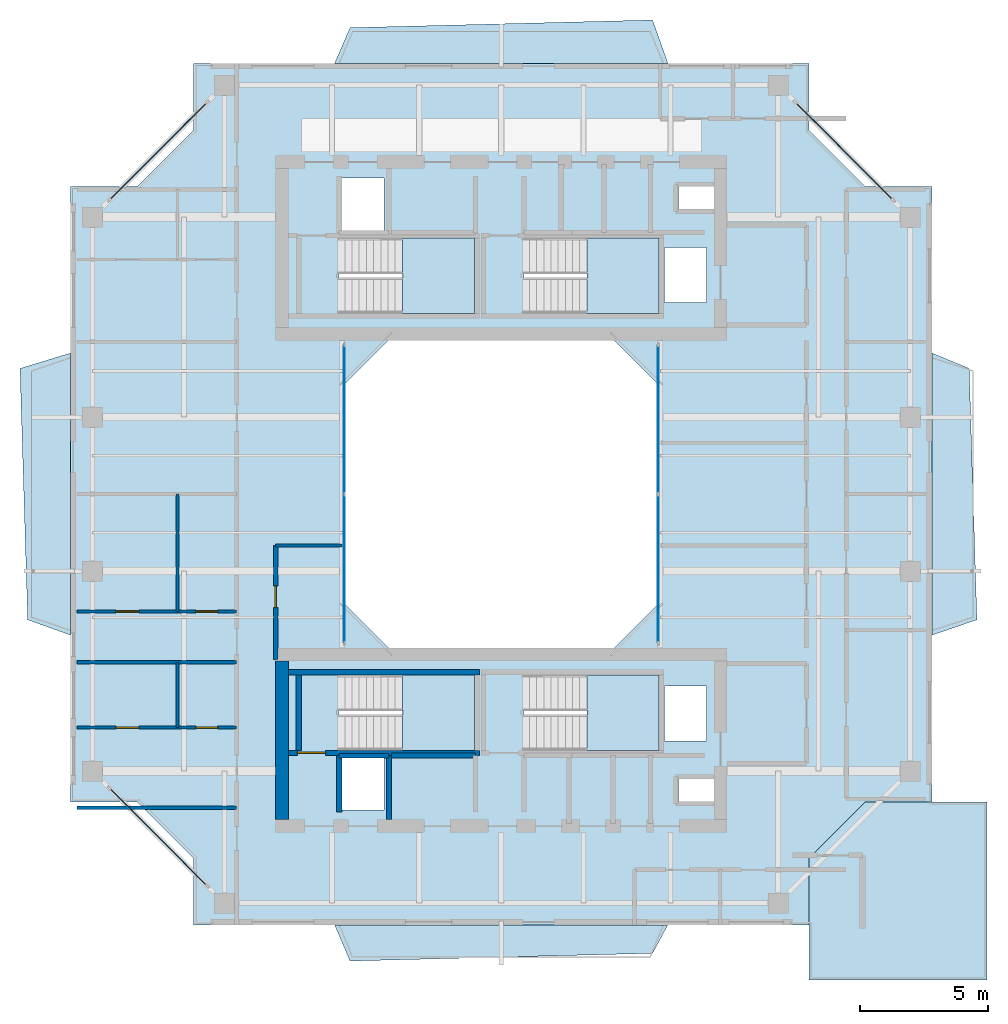
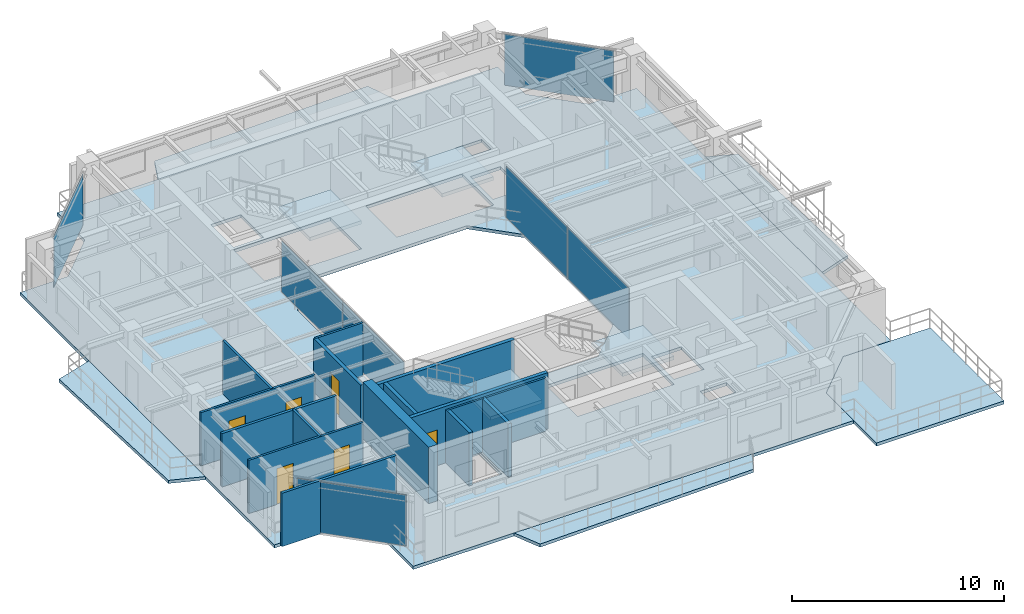
# One storey, part 9 of 15: 16 walls, 10 slabs, 7 plates, 6 doors, 6 openings, 9 elements without a shape of their own.
"""IFC4 building model written with IfcOpenShell, lengths in metres."""

from ifc_helpers import new_model, si_unit, direction, frame, frame_2d, origin, origin_2d, place, context, subcontext, project, spatial, polyline, rectangle, outline, extrude, source, transform, mapped, material, layer, layer_set, type_object, element, fill, aggregate, save


model = new_model("IFC4")

# Units and contexts
model_context = context("Model", 3, precision=1e-05, world=origin(), true_north=direction((0.0, 1.0)))
body_context = subcontext(model_context, "Body", "Model", "MODEL_VIEW")
ifc_project = project(units=[si_unit("LENGTHUNIT", "METRE"), si_unit("AREAUNIT", "SQUARE_METRE"), si_unit("VOLUMEUNIT", "CUBIC_METRE"), si_unit("PLANEANGLEUNIT", "RADIAN"), si_unit("MASSUNIT", "GRAM", prefix="KILO"), si_unit("THERMODYNAMICTEMPERATUREUNIT", "KELVIN"), si_unit("POWERUNIT", "WATT")], contexts=[model_context])

# Site, building, storey
site_placement = place(None, origin())
site = spatial("IfcSite", under=ifc_project, at=site_placement, CompositionType="ELEMENT")
building_placement = place(site_placement, origin())
building = spatial("IfcBuilding", under=site, at=building_placement, Name="Qiaomeng Ring Towers", CompositionType="ELEMENT")
storey_placement = place(building_placement, frame((0.0, 0.0, 213.25)))
storey = spatial("IfcBuildingStorey", under=building, at=storey_placement, Name="L62", CompositionType="ELEMENT", Elevation=213.25)

# Slabs
ifc_material_1 = material(Name="Concrete C40", Category="concrete")
ifc_layer_1 = layer(ifc_material_1, 0.179931640625, Name="Concrete C40")
ifc_layer_set_1 = layer_set([ifc_layer_1], Name="Concrete C40")
slab_type_1 = type_object("IfcSlabType", Name="STR-SL-180", PredefinedType="FLOOR", material=ifc_layer_set_1)
slab_1_placement = place(storey_placement, frame((0.0, 0.0, -0.179931640625)))
element("IfcSlab", 1, at=slab_1_placement, inside=storey, type_object=slab_type_1, Name="L62 Tower 1 Annular Floor Slab", PredefinedType="FLOOR", context=body_context, shape_type="SweptSolid", body=[
    extrude(outline(polyline([(7.0, 6.199951171875), (31.0, 6.199951171875), (31.0, 8.800048828125), (33.199951171875, 11.0), (35.800048828125, 11.0), (35.800048828125, 35.0), (33.199951171875, 35.0), (31.0, 37.199951171875), (31.0, 39.800048828125), (7.0, 39.800048828125), (7.0, 37.199951171875), (4.800048828125, 35.0), (2.199951171875, 35.0), (2.199951171875, 11.0), (4.800048828125, 11.0), (7.0, 8.800048828125), (7.0, 6.199951171875)]), holes=[polyline([(12.780029296875, 10.679931640625), (12.780029296875, 12.820068359375), (14.419921875, 12.820068359375), (14.419921875, 10.679931640625), (12.780029296875, 10.679931640625)]), polyline([(12.679931640625, 13.010009765625), (12.679931640625, 15.949951171875), (17.949951171875, 15.949951171875), (17.949951171875, 13.010009765625), (12.679931640625, 13.010009765625)]), polyline([(23.199951171875, 29.199951171875), (25.199951171875, 27.199951171875), (25.199951171875, 18.800048828125), (23.199951171875, 16.800048828125), (14.800048828125, 16.800048828125), (12.800048828125, 18.800048828125), (12.800048828125, 27.199951171875), (14.800048828125, 29.199951171875), (23.199951171875, 29.199951171875)]), polyline([(12.679931640625, 32.989990234375), (17.949951171875, 32.989990234375), (17.949951171875, 30.050048828125), (12.679931640625, 30.050048828125), (12.679931640625, 32.989990234375)]), polyline([(19.8798828125, 32.989990234375), (25.14990234375, 32.989990234375), (25.14990234375, 30.050048828125), (19.8798828125, 30.050048828125), (19.8798828125, 32.989990234375)]), polyline([(12.780029296875, 33.179931640625), (12.780029296875, 35.320068359375), (14.419921875, 35.320068359375), (14.419921875, 33.179931640625), (12.780029296875, 33.179931640625)]), polyline([(25.919921875, 11.89990234375), (27.360107421875, 11.89990234375), (27.360107421875, 11.0), (25.919921875, 11.0), (25.919921875, 11.89990234375)]), polyline([(25.360107421875, 15.52001953125), (27.0, 15.52001953125), (27.0, 13.3798828125), (25.360107421875, 13.3798828125), (25.360107421875, 15.52001953125)]), polyline([(19.8798828125, 13.010009765625), (19.8798828125, 15.949951171875), (25.14990234375, 15.949951171875), (25.14990234375, 13.010009765625), (19.8798828125, 13.010009765625)]), polyline([(25.360107421875, 32.6201171875), (27.0, 32.6201171875), (27.0, 30.47998046875), (25.360107421875, 30.47998046875), (25.360107421875, 32.6201171875)]), polyline([(25.919921875, 35.0), (27.360107421875, 35.0), (27.360107421875, 34.10009765625), (25.919921875, 34.10009765625), (25.919921875, 35.0)])]), origin(), (0.0, 0.0, 1.0), 0.179931640625),
])
ifc_layer_2 = layer(ifc_material_1, 0.179931640625, Name="Concrete C40")
ifc_layer_set_2 = layer_set([ifc_layer_2], Name="Concrete C40")
slab_type_2 = type_object("IfcSlabType", Name="STR-SL-BAL", PredefinedType="FLOOR", material=ifc_layer_set_2)
slab_2_placement = place(storey_placement, frame((0.0, 0.0, -0.179931640625)))
element("IfcSlab", 2, at=slab_2_placement, inside=storey, type_object=slab_type_2, Name="L62 Tower 1 S Faceted Balcony Slab", PredefinedType="FLOOR", context=body_context, shape_type="SweptSolid", body=[
    extrude(outline(polyline([(25.5, 6.199951171875), (24.89990234375, 5.090087890625), (13.10009765625, 4.7900390625), (12.5, 6.199951171875), (25.5, 6.199951171875)])), origin(), (0.0, 0.0, 1.0), 0.179931640625),
])
slab_3_placement = place(storey_placement, frame((0.0, 0.0, -0.179931640625)))
element("IfcSlab", 3, at=slab_3_placement, inside=storey, type_object=slab_type_2, Name="L62 Tower 1 E Faceted Balcony Slab", PredefinedType="FLOOR", context=body_context, shape_type="SweptSolid", body=[
    extrude(outline(polyline([(37.25, 27.89990234375), (37.550048828125, 18.10009765625), (35.800048828125, 17.5), (35.800048828125, 28.5), (37.25, 27.89990234375)])), origin(), (0.0, 0.0, 1.0), 0.179931640625),
])
slab_4_placement = place(storey_placement, frame((0.0, 0.0, -0.179931640625)))
element("IfcSlab", 4, at=slab_4_placement, inside=storey, type_object=slab_type_2, Name="L62 Tower 1 N Faceted Balcony Slab", PredefinedType="FLOOR", context=body_context, shape_type="SweptSolid", body=[
    extrude(outline(polyline([(12.5, 39.800048828125), (13.10009765625, 41.18994140625), (24.89990234375, 41.489990234375), (25.5, 39.800048828125), (12.5, 39.800048828125)])), origin(), (0.0, 0.0, 1.0), 0.179931640625),
])
slab_5_placement = place(storey_placement, frame((0.0, 0.0, -0.179931640625)))
element("IfcSlab", 5, at=slab_5_placement, inside=storey, type_object=slab_type_2, Name="L62 Tower 1 W Faceted Balcony Slab", PredefinedType="FLOOR", context=body_context, shape_type="SweptSolid", body=[
    extrude(outline(polyline([(0.530029296875, 18.10009765625), (0.22998046875, 27.89990234375), (2.199951171875, 28.5), (2.199951171875, 17.5), (0.530029296875, 18.10009765625)])), origin(), (0.0, 0.0, 1.0), 0.179931640625),
])

# Stair, slab
ifc_material_2 = material(Name="Precast concrete C40", Category="concrete")
stair_type = type_object("IfcStairType", Name="ARC-ST-325", PredefinedType="HALF_TURN_STAIR", material=ifc_material_2)
stair_1_placement = place(storey_placement, origin())
stair_1 = element("IfcStair", 6, at=stair_1_placement, inside=storey, type_object=stair_type, Name="L62 Tower 1 North Stair 1", PredefinedType="HALF_TURN_STAIR")
ifc_layer_3 = layer(ifc_material_1, 0.199951171875, Name="Concrete C40")
ifc_layer_set_3 = layer_set([ifc_layer_3], Name="Concrete C40")
slab_type_3 = type_object("IfcSlabType", Name="STR-SL-LANDING", PredefinedType="LANDING", material=ifc_layer_set_3)
slab_6_placement = place(storey_placement, frame((0.0, 0.0, 1.425048828125)))
slab_6 = element("IfcSlab", 7, at=slab_6_placement, type_object=slab_type_3, Name="ST1 landing 1", PredefinedType="LANDING", context=body_context, shape_type="SweptSolid", body=[
    extrude(outline(polyline([(15.139892578125, 30.050048828125), (17.949951171875, 30.050048828125), (17.949951171875, 32.989990234375), (15.139892578125, 32.989990234375), (15.139892578125, 30.050048828125)])), origin(), (0.0, 0.0, 1.0), 0.199951171875),
])
aggregate(stair_1, [slab_6])

stair_2_placement = place(storey_placement, origin())
stair_2 = element("IfcStair", 8, at=stair_2_placement, inside=storey, type_object=stair_type, Name="L62 Tower 1 North Stair 2", PredefinedType="HALF_TURN_STAIR")
slab_7_placement = place(storey_placement, frame((0.0, 0.0, 1.425048828125)))
slab_7 = element("IfcSlab", 9, at=slab_7_placement, type_object=slab_type_3, Name="ST2 landing 1", PredefinedType="LANDING", context=body_context, shape_type="SweptSolid", body=[
    extrude(outline(polyline([(22.340087890625, 30.050048828125), (25.14990234375, 30.050048828125), (25.14990234375, 32.989990234375), (22.340087890625, 32.989990234375), (22.340087890625, 30.050048828125)])), origin(), (0.0, 0.0, 1.0), 0.199951171875),
])
aggregate(stair_2, [slab_7])

stair_3_placement = place(storey_placement, origin())
stair_3 = element("IfcStair", 10, at=stair_3_placement, inside=storey, type_object=stair_type, Name="L62 Tower 1 South Stair 3", PredefinedType="HALF_TURN_STAIR")
slab_8_placement = place(storey_placement, frame((0.0, 0.0, 1.425048828125)))
slab_8 = element("IfcSlab", 11, at=slab_8_placement, type_object=slab_type_3, Name="ST3 landing 1", PredefinedType="LANDING", context=body_context, shape_type="SweptSolid", body=[
    extrude(outline(polyline([(15.139892578125, 13.010009765625), (17.949951171875, 13.010009765625), (17.949951171875, 15.949951171875), (15.139892578125, 15.949951171875), (15.139892578125, 13.010009765625)])), origin(), (0.0, 0.0, 1.0), 0.199951171875),
])
aggregate(stair_3, [slab_8])

stair_4_placement = place(storey_placement, origin())
stair_4 = element("IfcStair", 12, at=stair_4_placement, inside=storey, type_object=stair_type, Name="L62 Tower 1 South Stair 4", PredefinedType="HALF_TURN_STAIR")
slab_9_placement = place(storey_placement, frame((0.0, 0.0, 1.425048828125)))
slab_9 = element("IfcSlab", 13, at=slab_9_placement, type_object=slab_type_3, Name="ST4 landing 1", PredefinedType="LANDING", context=body_context, shape_type="SweptSolid", body=[
    extrude(outline(polyline([(22.340087890625, 13.010009765625), (25.14990234375, 13.010009765625), (25.14990234375, 15.949951171875), (22.340087890625, 15.949951171875), (22.340087890625, 13.010009765625)])), origin(), (0.0, 0.0, 1.0), 0.199951171875),
])
aggregate(stair_4, [slab_9])

# Slab
ifc_layer_4 = layer(ifc_material_1, 0.179931640625, Name="Concrete C40")
ifc_layer_set_4 = layer_set([ifc_layer_4], Name="Concrete C40")
slab_type_4 = type_object("IfcSlabType", Name="STR-SL-TERR180", PredefinedType="FLOOR", material=ifc_layer_set_4)
slab_10_placement = place(storey_placement, frame((0.0, 0.0, -0.179931640625)))
element("IfcSlab", 14, at=slab_10_placement, inside=storey, type_object=slab_type_4, Name="L62 Spiralling Corner Sky Terrace SE", PredefinedType="FLOOR", context=body_context, shape_type="SweptSolid", body=[
    extrude(outline(polyline([(37.949951171875, 11.0), (37.949951171875, 4.050048828125), (31.0, 4.050048828125), (31.0, 6.199951171875), (31.0, 6.199951171875), (31.0, 8.800048828125), (33.199951171875, 11.0), (35.800048828125, 11.0), (37.949951171875, 11.0)])), origin(), (0.0, 0.0, 1.0), 0.179931640625),
])

# Curtain wall, plates
ifc_material_3 = material(Name="Fluorocarbon dark-grey aluminium", Category="aluminium")
ifc_layer_5 = layer(ifc_material_3, 0.139892578125, Name="Fluorocarbon dark-grey aluminium")
ifc_layer_set_5 = layer_set([ifc_layer_5], Name="Fluorocarbon dark-grey aluminium")
curtain_wall_type_1 = type_object("IfcCurtainWallType", Name="ARC-CW-4", PredefinedType="NOTDEFINED", material=ifc_layer_set_5)
curtain_wall_1_placement = place(storey_placement, origin())
curtain_wall_1 = element("IfcCurtainWall", 15, at=curtain_wall_1_placement, inside=storey, type_object=curtain_wall_type_1, Name="L62 Curtain Wall CW4", PredefinedType="NOTDEFINED")
ifc_material_4 = material(Name="Low-E dark-grey laminated double glazing", Category="glass")
ifc_layer_6 = layer(ifc_material_4, 0.028076171875, Name="Low-E dark-grey laminated double glazing")
ifc_layer_set_6 = layer_set([ifc_layer_6], Name="Low-E dark-grey laminated double glazing")
plate_type = type_object("IfcPlateType", Name="ARC-CWP-DARK", PredefinedType="CURTAIN_PANEL", material=ifc_layer_set_6)
shared_shape_1 = source(origin(), body_context, "Body", "SweptSolid", [
    extrude(rectangle(XDim=5.75244140625, YDim=0.028076171875, at=origin_2d()), origin(), (0.0, 0.0, 1.0), 2.93994140625),
])
plate_1_placement = place(storey_placement, frame((12.8798828125, 20.09130859375, 0.06494140625), z_axis=(0.0, 0.0, 1.0), x_axis=(0.0, 1.0, 0.0)))
plate_1 = element("IfcPlate", 16, at=plate_1_placement, type_object=plate_type, Name="CW4 panel 1.1", PredefinedType="CURTAIN_PANEL", context=body_context, shape_type="MappedRepresentation", body=[
    mapped(shared_shape_1, transform((0.0, 0.0, 0.0), x_axis=(1.0, 0.0, 0.0), y_axis=(0.0, 1.0, 0.0), z_axis=(0.0, 0.0, 1.0), scale=1.0)),
])
plate_2_placement = place(storey_placement, frame((12.8798828125, 25.90869140625, 0.06494140625), z_axis=(0.0, 0.0, 1.0), x_axis=(0.0, 1.0, 0.0)))
plate_2 = element("IfcPlate", 17, at=plate_2_placement, type_object=plate_type, Name="CW4 panel 2.1", PredefinedType="CURTAIN_PANEL", context=body_context, shape_type="MappedRepresentation", body=[
    mapped(shared_shape_1, transform((0.0, 0.0, 0.0), x_axis=(1.0, 0.0, 0.0), y_axis=(0.0, 1.0, 0.0), z_axis=(0.0, 0.0, 1.0), scale=1.0)),
])
aggregate(curtain_wall_1, [plate_1, plate_2])

curtain_wall_2_placement = place(storey_placement, origin())
curtain_wall_2 = element("IfcCurtainWall", 18, at=curtain_wall_2_placement, inside=storey, type_object=curtain_wall_type_1, Name="L62 Curtain Wall CW4", PredefinedType="NOTDEFINED")
plate_3_placement = place(storey_placement, frame((25.1201171875, 20.09130859375, 0.06494140625), z_axis=(0.0, 0.0, 1.0), x_axis=(0.0, 1.0, 0.0)))
plate_3 = element("IfcPlate", 19, at=plate_3_placement, type_object=plate_type, Name="CW4 panel 1.1", PredefinedType="CURTAIN_PANEL", context=body_context, shape_type="MappedRepresentation", body=[
    mapped(shared_shape_1, transform((0.0, 0.0, 0.0), x_axis=(1.0, 0.0, 0.0), y_axis=(0.0, 1.0, 0.0), z_axis=(0.0, 0.0, 1.0), scale=1.0)),
])
plate_4_placement = place(storey_placement, frame((25.1201171875, 25.90869140625, 0.06494140625), z_axis=(0.0, 0.0, 1.0), x_axis=(0.0, 1.0, 0.0)))
plate_4 = element("IfcPlate", 20, at=plate_4_placement, type_object=plate_type, Name="CW4 panel 2.1", PredefinedType="CURTAIN_PANEL", context=body_context, shape_type="MappedRepresentation", body=[
    mapped(shared_shape_1, transform((0.0, 0.0, 0.0), x_axis=(1.0, 0.0, 0.0), y_axis=(0.0, 1.0, 0.0), z_axis=(0.0, 0.0, 1.0), scale=1.0)),
])
aggregate(curtain_wall_2, [plate_3, plate_4])

# Curtain wall, plate
ifc_layer_7 = layer(ifc_material_3, 0.14990234375, Name="Fluorocarbon dark-grey aluminium")
ifc_layer_set_7 = layer_set([ifc_layer_7], Name="Fluorocarbon dark-grey aluminium")
curtain_wall_type_2 = type_object("IfcCurtainWallType", Name="ARC-CW-3", PredefinedType="NOTDEFINED", material=ifc_layer_set_7)
curtain_wall_3_placement = place(storey_placement, origin())
curtain_wall_3 = element("IfcCurtainWall", 21, at=curtain_wall_3_placement, inside=storey, type_object=curtain_wall_type_2, Name="L62 Curtain Wall CW3", PredefinedType="NOTDEFINED")
shared_shape_2 = source(origin(), body_context, "Body", "SweptSolid", [
    extrude(rectangle(XDim=5.3330078125, YDim=0.028076171875, at=origin_2d()), origin(), (0.0, 0.0, 1.0), 2.93994140625),
])
plate_5_placement = place(storey_placement, frame((32.375, 36.375, 0.06494140625), z_axis=(0.0, 0.0, 1.0), x_axis=(-0.707106781187, 0.707106781187, 0.0)))
plate_5 = element("IfcPlate", 22, at=plate_5_placement, type_object=plate_type, Name="CW3 panel 1.1", PredefinedType="CURTAIN_PANEL", context=body_context, shape_type="MappedRepresentation", body=[
    mapped(shared_shape_2, transform((0.0, 0.0, 0.0), x_axis=(1.0, 0.0, 0.0), y_axis=(0.0, 1.0, 0.0), z_axis=(0.0, 0.0, 1.0), scale=1.0)),
])
aggregate(curtain_wall_3, [plate_5])

curtain_wall_4_placement = place(storey_placement, origin())
curtain_wall_4 = element("IfcCurtainWall", 23, at=curtain_wall_4_placement, inside=storey, type_object=curtain_wall_type_2, Name="L62 Curtain Wall CW3", PredefinedType="NOTDEFINED")
plate_6_placement = place(storey_placement, frame((5.625, 36.375, 0.06494140625), z_axis=(0.0, 0.0, 1.0), x_axis=(-0.707106781187, -0.707106781187, 0.0)))
plate_6 = element("IfcPlate", 24, at=plate_6_placement, type_object=plate_type, Name="CW3 panel 1.1", PredefinedType="CURTAIN_PANEL", context=body_context, shape_type="MappedRepresentation", body=[
    mapped(shared_shape_2, transform((0.0, 0.0, 0.0), x_axis=(1.0, 0.0, 0.0), y_axis=(0.0, 1.0, 0.0), z_axis=(0.0, 0.0, 1.0), scale=1.0)),
])
aggregate(curtain_wall_4, [plate_6])

curtain_wall_5_placement = place(storey_placement, origin())
curtain_wall_5 = element("IfcCurtainWall", 25, at=curtain_wall_5_placement, inside=storey, type_object=curtain_wall_type_2, Name="L62 Curtain Wall CW3", PredefinedType="NOTDEFINED")
plate_7_placement = place(storey_placement, frame((5.625, 9.625, 0.06494140625), z_axis=(0.0, 0.0, 1.0), x_axis=(0.707106781187, -0.707106781187, 0.0)))
plate_7 = element("IfcPlate", 26, at=plate_7_placement, type_object=plate_type, Name="CW3 panel 1.1", PredefinedType="CURTAIN_PANEL", context=body_context, shape_type="MappedRepresentation", body=[
    mapped(shared_shape_2, transform((0.0, 0.0, 0.0), x_axis=(1.0, 0.0, 0.0), y_axis=(0.0, 1.0, 0.0), z_axis=(0.0, 0.0, 1.0), scale=1.0)),
])
aggregate(curtain_wall_5, [plate_7])

# Walls
ifc_material_5 = material(Name="Autoclaved aerated concrete block", Category="concrete")
ifc_layer_8 = layer(ifc_material_5, 0.199951171875, Name="Autoclaved aerated concrete block")
ifc_layer_set_8 = layer_set([ifc_layer_8], Name="Autoclaved aerated concrete block")
wall_type_1 = type_object("IfcWallType", Name="ARC-WL-PW1", PredefinedType="PARTITIONING", material=ifc_layer_set_8)
wall_1_placement = place(storey_placement, frame((12.679931640625, 10.60009765625, 0.0), z_axis=(0.0, 0.0, 1.0), x_axis=(0.0, 1.0, 0.0)))
element("IfcWall", 27, at=wall_1_placement, inside=storey, type_object=wall_type_1, Name="L62 Interior Wall PW1", PredefinedType="PARTITIONING", context=body_context, shape_type="SweptSolid", body=[
    extrude(rectangle(XDim=2.2099609375, YDim=0.199951171875, at=frame_2d((1.10498046875, 0.0))), origin(), (0.0, 0.0, 1.0), 3.070068359375),
])
wall_2_placement = place(storey_placement, frame((14.719970703125, 12.800048828125, 0.0), z_axis=(0.0, 0.0, 1.0), x_axis=(1.0, 0.0, 0.0)))
element("IfcWall", 28, at=wall_2_placement, inside=storey, type_object=wall_type_1, Name="L62 Interior Wall PW1", PredefinedType="PARTITIONING", context=body_context, shape_type="SweptSolid", body=[
    extrude(rectangle(XDim=3.280029296875, YDim=0.199951171875, at=frame_2d((1.64013671875, 0.0))), origin(), (0.0, 0.0, 1.0), 3.070068359375),
])

# Wall, opening, door
ifc_layer_9 = layer(ifc_material_5, 0.179931640625, Name="Autoclaved aerated concrete block")
ifc_layer_set_9 = layer_set([ifc_layer_9], Name="Autoclaved aerated concrete block")
wall_type_2 = type_object("IfcWallType", Name="ARC-WL-PW2", PredefinedType="PARTITIONING", material=ifc_layer_set_9)
wall_3_placement = place(storey_placement, frame((10.199951171875, 16.550048828125, 0.0), z_axis=(0.0, 0.0, 1.0), x_axis=(0.0, 1.0, 0.0)))
wall_3 = element("IfcWall", 29, at=wall_3_placement, inside=storey, type_object=wall_type_2, Name="L62 Interior Wall PW2", PredefinedType="PARTITIONING", context=body_context, shape_type="SweptSolid", body=[
    extrude(rectangle(XDim=4.449951171875, YDim=0.179931640625, at=frame_2d((2.22509765625, 0.0))), origin(), (0.0, 0.0, 1.0), 3.070068359375),
])
opening_1_placement = place(wall_3_placement, frame((2.02490234375, 0.0, 0.0)))
opening_1 = element("IfcOpeningElement", 30, at=opening_1_placement, cuts=wall_3, Name="Opening ID2", PredefinedType="OPENING", context=body_context, shape_type="SweptSolid", body=[
    extrude(rectangle(XDim=0.85009765625, YDim=2.050048828125, at=frame_2d((0.425048828125, 1.02490234375))), frame((0.0, 0.099853515625, 0.0), z_axis=(0.0, -1.0, 0.0), x_axis=(1.0, 0.0, 0.0)), (0.0, 0.0, 1.0), 0.199951171875),
])
ifc_material_6 = material(Name="Moisture-resistant engineered timber", Category="wood")
door_type_1 = type_object("IfcDoorType", Name="ARC-DR-ID2", OperationType="NOTDEFINED", PredefinedType="DOOR", material=ifc_material_6)
shared_shape_3 = source(origin(), body_context, "Body", "SweptSolid", [
    extrude(rectangle(XDim=0.85009765625, YDim=2.050048828125, at=frame_2d((0.425048828125, 1.02490234375))), frame((0.0, 0.02490234375, 0.0), z_axis=(0.0, -1.0, 0.0), x_axis=(1.0, 0.0, 0.0)), (0.0, 0.0, 1.0), 0.050048828125),
])
door_1_placement = place(opening_1_placement, origin())
door_1 = element("IfcDoor", 31, at=door_1_placement, inside=storey, type_object=door_type_1, Name="L62 Door ID2", OperationType="SINGLE_SWING_LEFT", OverallHeight=2.050048828125, OverallWidth=0.85009765625, PredefinedType="DOOR", context=body_context, shape_type="MappedRepresentation", body=[
    mapped(shared_shape_3, transform((0.0, 0.0, 0.0), x_axis=(1.0, 0.0, 0.0), y_axis=(0.0, 1.0, 0.0), z_axis=(0.0, 0.0, 1.0), scale=1.0)),
])
fill(opening_1, door_1)

# Walls
ifc_material_7 = material(Name="Gypsum fireboard steel-stud partition", Category="steel")
ifc_layer_10 = layer(ifc_material_7, 0.14990234375, Name="Gypsum fireboard steel-stud partition")
ifc_layer_set_10 = layer_set([ifc_layer_10], Name="Gypsum fireboard steel-stud partition")
wall_type_3 = type_object("IfcWallType", Name="ARC-WL-PW3", PredefinedType="PARTITIONING", material=ifc_layer_set_10)
for number, where, z_axis, x_axis, name in (
    (32, (2.449951171875, 10.77001953125, 0.0), (0.0, 0.0, 1.0), (1.0, 0.0, 0.0), "L62 Interior Wall PW3"),
    (33, (2.449951171875, 16.43994140625, 0.0), (0.0, 0.0, 1.0), (1.0, 0.0, 0.0), "L62 Interior Wall PW3"),
):
    element("IfcWall", number, at=place(storey_placement, frame(where, z_axis=z_axis, x_axis=x_axis)), inside=storey, type_object=wall_type_3, Name=name, PredefinedType="PARTITIONING", context=body_context, shape_type="SweptSolid", body=[
        extrude(rectangle(XDim=6.22998046875, YDim=0.14990234375, at=frame_2d((3.114990234375, 0.0))), origin(), (0.0, 0.0, 1.0), 3.070068359375),
    ])

# Wall, openings, doors
ifc_material_8 = material(Name="Moisture-resistant gypsum steel-stud partition", Category="steel")
ifc_layer_11 = layer(ifc_material_8, 0.1201171875, Name="Moisture-resistant gypsum steel-stud partition")
ifc_layer_set_11 = layer_set([ifc_layer_11], Name="Moisture-resistant gypsum steel-stud partition")
wall_type_4 = type_object("IfcWallType", Name="ARC-WL-PW4", PredefinedType="PLUMBINGWALL", material=ifc_layer_set_11)
wall_4_placement = place(storey_placement, frame((2.449951171875, 13.889892578125, 0.0), z_axis=(0.0, 0.0, 1.0), x_axis=(1.0, 0.0, 0.0)))
wall_4 = element("IfcWall", 34, at=wall_4_placement, inside=storey, type_object=wall_type_4, Name="L62 Interior Wall PW4", PredefinedType="PLUMBINGWALL", context=body_context, shape_type="SweptSolid", body=[
    extrude(rectangle(XDim=6.22998046875, YDim=0.1201171875, at=frame_2d((3.114990234375, 0.0))), origin(), (0.0, 0.0, 1.0), 3.070068359375),
])
opening_2_placement = place(wall_4_placement, frame((1.52001953125, 0.0, 0.0)))
opening_2 = element("IfcOpeningElement", 35, at=opening_2_placement, cuts=wall_4, Name="Opening ID1", PredefinedType="OPENING", context=body_context, shape_type="SweptSolid", body=[
    extrude(rectangle(XDim=0.89990234375, YDim=2.050048828125, at=frame_2d((0.449951171875, 1.02490234375))), frame((0.0, 0.070068359375, 0.0), z_axis=(0.0, -1.0, 0.0), x_axis=(1.0, 0.0, 0.0)), (0.0, 0.0, 1.0), 0.14013671875),
])
opening_3_placement = place(wall_4_placement, frame((4.639892578125, 0.0, 0.0)))
opening_3 = element("IfcOpeningElement", 36, at=opening_3_placement, cuts=wall_4, Name="Opening ID2", PredefinedType="OPENING", context=body_context, shape_type="SweptSolid", body=[
    extrude(rectangle(XDim=0.85009765625, YDim=2.050048828125, at=frame_2d((0.425048828125, 1.02490234375))), frame((0.0, 0.070068359375, 0.0), z_axis=(0.0, -1.0, 0.0), x_axis=(1.0, 0.0, 0.0)), (0.0, 0.0, 1.0), 0.14013671875),
])
door_2_placement = place(opening_3_placement, origin())
door_2 = element("IfcDoor", 37, at=door_2_placement, inside=storey, type_object=door_type_1, Name="L62 Door ID2", OperationType="SINGLE_SWING_RIGHT", OverallHeight=2.050048828125, OverallWidth=0.85009765625, PredefinedType="DOOR", context=body_context, shape_type="MappedRepresentation", body=[
    mapped(shared_shape_3, transform((0.0, 0.0, 0.0), x_axis=(1.0, 0.0, 0.0), y_axis=(0.0, 1.0, 0.0), z_axis=(0.0, 0.0, 1.0), scale=1.0)),
])
fill(opening_3, door_2)
ifc_material_9 = material(Name="Engineered oak timber", Category="wood")
door_type_2 = type_object("IfcDoorType", Name="ARC-DR-ID1", OperationType="NOTDEFINED", PredefinedType="DOOR", material=ifc_material_9)
shared_shape_4 = source(origin(), body_context, "Body", "SweptSolid", [
    extrude(rectangle(XDim=0.89990234375, YDim=2.050048828125, at=frame_2d((0.449951171875, 1.02490234375))), frame((0.0, 0.02490234375, 0.0), z_axis=(0.0, -1.0, 0.0), x_axis=(1.0, 0.0, 0.0)), (0.0, 0.0, 1.0), 0.050048828125),
])
door_3_placement = place(opening_2_placement, origin())
door_3 = element("IfcDoor", 38, at=door_3_placement, inside=storey, type_object=door_type_2, Name="L62 Door ID1", OperationType="SINGLE_SWING_LEFT", OverallHeight=2.050048828125, OverallWidth=0.89990234375, PredefinedType="DOOR", context=body_context, shape_type="MappedRepresentation", body=[
    mapped(shared_shape_4, transform((0.0, 0.0, 0.0), x_axis=(1.0, 0.0, 0.0), y_axis=(0.0, 1.0, 0.0), z_axis=(0.0, 0.0, 1.0), scale=1.0)),
])
fill(opening_2, door_3)

# Wall
wall_5_placement = place(storey_placement, frame((6.3701171875, 13.889892578125, 0.0), z_axis=(0.0, 0.0, 1.0), x_axis=(0.0, 1.0, 0.0)))
element("IfcWall", 39, at=wall_5_placement, inside=storey, type_object=wall_type_4, Name="L62 Interior Wall PW4", PredefinedType="PLUMBINGWALL", context=body_context, shape_type="SweptSolid", body=[
    extrude(rectangle(XDim=2.550048828125, YDim=0.1201171875, at=frame_2d((1.27490234375, 0.0))), origin(), (0.0, 0.0, 1.0), 3.070068359375),
])

# Wall, openings, doors
wall_6_placement = place(storey_placement, frame((2.449951171875, 18.419921875, 0.0), z_axis=(0.0, 0.0, 1.0), x_axis=(1.0, 0.0, 0.0)))
wall_6 = element("IfcWall", 40, at=wall_6_placement, inside=storey, type_object=wall_type_4, Name="L62 Interior Wall PW4", PredefinedType="PLUMBINGWALL", context=body_context, shape_type="SweptSolid", body=[
    extrude(rectangle(XDim=6.22998046875, YDim=0.1201171875, at=frame_2d((3.114990234375, 0.0))), origin(), (0.0, 0.0, 1.0), 3.070068359375),
])
opening_4_placement = place(wall_6_placement, frame((1.52001953125, 0.0, 0.0)))
opening_4 = element("IfcOpeningElement", 41, at=opening_4_placement, cuts=wall_6, Name="Opening ID1", PredefinedType="OPENING", context=body_context, shape_type="SweptSolid", body=[
    extrude(rectangle(XDim=0.89990234375, YDim=2.050048828125, at=frame_2d((0.449951171875, 1.02490234375))), frame((0.0, 0.070068359375, 0.0), z_axis=(0.0, -1.0, 0.0), x_axis=(1.0, 0.0, 0.0)), (0.0, 0.0, 1.0), 0.14013671875),
])
opening_5_placement = place(wall_6_placement, frame((4.639892578125, 0.0, 0.0)))
opening_5 = element("IfcOpeningElement", 42, at=opening_5_placement, cuts=wall_6, Name="Opening ID2", PredefinedType="OPENING", context=body_context, shape_type="SweptSolid", body=[
    extrude(rectangle(XDim=0.85009765625, YDim=2.050048828125, at=frame_2d((0.425048828125, 1.02490234375))), frame((0.0, 0.070068359375, 0.0), z_axis=(0.0, -1.0, 0.0), x_axis=(1.0, 0.0, 0.0)), (0.0, 0.0, 1.0), 0.14013671875),
])
door_4_placement = place(opening_5_placement, origin())
door_4 = element("IfcDoor", 43, at=door_4_placement, inside=storey, type_object=door_type_1, Name="L62 Door ID2", OperationType="SINGLE_SWING_LEFT", OverallHeight=2.050048828125, OverallWidth=0.85009765625, PredefinedType="DOOR", context=body_context, shape_type="MappedRepresentation", body=[
    mapped(shared_shape_3, transform((0.0, 0.0, 0.0), x_axis=(1.0, 0.0, 0.0), y_axis=(0.0, 1.0, 0.0), z_axis=(0.0, 0.0, 1.0), scale=1.0)),
])
fill(opening_5, door_4)
door_5_placement = place(opening_4_placement, origin())
door_5 = element("IfcDoor", 44, at=door_5_placement, inside=storey, type_object=door_type_2, Name="L62 Door ID1", OperationType="SINGLE_SWING_RIGHT", OverallHeight=2.050048828125, OverallWidth=0.89990234375, PredefinedType="DOOR", context=body_context, shape_type="MappedRepresentation", body=[
    mapped(shared_shape_4, transform((0.0, 0.0, 0.0), x_axis=(1.0, 0.0, 0.0), y_axis=(0.0, 1.0, 0.0), z_axis=(0.0, 0.0, 1.0), scale=1.0)),
])
fill(opening_4, door_5)

# Walls
wall_7_placement = place(storey_placement, frame((6.3701171875, 18.419921875, 0.0), z_axis=(0.0, 0.0, 1.0), x_axis=(0.0, 1.0, 0.0)))
element("IfcWall", 45, at=wall_7_placement, inside=storey, type_object=wall_type_4, Name="L62 Interior Wall PW4", PredefinedType="PLUMBINGWALL", context=body_context, shape_type="SweptSolid", body=[
    extrude(rectangle(XDim=4.580078125, YDim=0.1201171875, at=frame_2d((2.2900390625, 0.0))), origin(), (0.0, 0.0, 1.0), 3.070068359375),
])
wall_8_placement = place(storey_placement, frame((10.199951171875, 21.0, 0.0), z_axis=(0.0, 0.0, 1.0), x_axis=(1.0, 0.0, 0.0)))
element("IfcWall", 46, at=wall_8_placement, inside=storey, type_object=wall_type_4, Name="L62 Interior Wall PW4", PredefinedType="PLUMBINGWALL", context=body_context, shape_type="SweptSolid", body=[
    extrude(rectangle(XDim=2.580078125, YDim=0.1201171875, at=frame_2d((1.2900390625, 0.0))), origin(), (0.0, 0.0, 1.0), 3.070068359375),
])
ifc_layer_12 = layer(ifc_material_1, 0.199951171875, Name="Concrete C40")
ifc_layer_set_12 = layer_set([ifc_layer_12], Name="Concrete C40")
wall_type_5 = type_object("IfcWallType", Name="STR-WL-STSHAFT", PredefinedType="SHEAR", material=ifc_layer_set_12)
wall_9_placement = place(storey_placement, frame((12.679931640625, 12.800048828125, 0.0), z_axis=(0.0, 0.0, 1.0), x_axis=(1.0, 0.0, 0.0)))
element("IfcWall", 47, at=wall_9_placement, inside=storey, type_object=wall_type_5, Name="L62 Lift LP6 Shaft Back Wall", PredefinedType="SHEAR", context=body_context, shape_type="SweptSolid", body=[
    extrude(rectangle(XDim=1.940185546875, YDim=0.179931640625, at=frame_2d((0.97021484375, 0.0))), origin(), (0.0, 0.0, 1.0), 3.070068359375),
])
wall_10_placement = place(storey_placement, frame((14.6201171875, 10.300048828125, 0.0), z_axis=(0.0, 0.0, 1.0), x_axis=(0.0, 1.0, 0.0)))
element("IfcWall", 48, at=wall_10_placement, inside=storey, type_object=wall_type_5, Name="L62 Lift LP6-LP4 Shaft Divider Wall", PredefinedType="SHEAR", context=body_context, shape_type="SweptSolid", body=[
    extrude(rectangle(XDim=2.5, YDim=0.179931640625, at=frame_2d((1.25, 0.0))), origin(), (0.0, 0.0, 1.0), 3.070068359375),
])

# Wall, opening, door
wall_11_placement = place(storey_placement, frame((10.699951171875, 12.909912109375, 0.0), z_axis=(0.0, 0.0, 1.0), x_axis=(1.0, 0.0, 0.0)))
wall_11 = element("IfcWall", 49, at=wall_11_placement, inside=storey, type_object=wall_type_5, Name="L62 Stair ST3 South Shaft Shear Wall", PredefinedType="SHEAR", context=body_context, shape_type="SweptSolid", body=[
    extrude(rectangle(XDim=7.449951171875, YDim=0.199951171875, at=frame_2d((3.72509765625, 0.0))), origin(), (0.0, 0.0, 1.0), 3.25),
])
opening_6_placement = place(wall_11_placement, frame((0.35009765625, 0.0, 0.0)))
opening_6 = element("IfcOpeningElement", 50, at=opening_6_placement, cuts=wall_11, Name="Opening FD3", PredefinedType="OPENING", context=body_context, shape_type="SweptSolid", body=[
    extrude(rectangle(XDim=1.10009765625, YDim=2.050048828125, at=frame_2d((0.550048828125, 1.02490234375))), frame((0.0, 0.10986328125, 0.0), z_axis=(0.0, -1.0, 0.0), x_axis=(1.0, 0.0, 0.0)), (0.0, 0.0, 1.0), 0.219970703125),
])
ifc_material_10 = material(Name="Galvanised steel", Category="steel")
door_type_3 = type_object("IfcDoorType", Name="ARC-DR-FD3", OperationType="NOTDEFINED", PredefinedType="DOOR", material=ifc_material_10)
shared_shape_5 = source(origin(), body_context, "Body", "SweptSolid", [
    extrude(rectangle(XDim=1.10009765625, YDim=2.050048828125, at=frame_2d((0.550048828125, 1.02490234375))), frame((0.0, 0.02490234375, 0.0), z_axis=(0.0, -1.0, 0.0), x_axis=(1.0, 0.0, 0.0)), (0.0, 0.0, 1.0), 0.050048828125),
])
door_6_placement = place(opening_6_placement, frame((1.10009765625, 0.0, 0.0), z_axis=(0.0, 0.0, 1.0), x_axis=(-1.0, 0.0, 0.0)))
door_6 = element("IfcDoor", 51, at=door_6_placement, inside=storey, type_object=door_type_3, Name="L62 Stair ST3 Exit Door", OperationType="SINGLE_SWING_RIGHT", OverallHeight=2.050048828125, OverallWidth=1.10009765625, PredefinedType="DOOR", context=body_context, shape_type="MappedRepresentation", body=[
    mapped(shared_shape_5, transform((0.0, 0.0, 0.0), x_axis=(1.0, 0.0, 0.0), y_axis=(0.0, 1.0, 0.0), z_axis=(0.0, 0.0, 1.0), scale=1.0)),
])
fill(opening_6, door_6)

# Walls
wall_12_placement = place(storey_placement, frame((10.699951171875, 16.050048828125, 0.0), z_axis=(0.0, 0.0, 1.0), x_axis=(1.0, 0.0, 0.0)))
element("IfcWall", 52, at=wall_12_placement, inside=storey, type_object=wall_type_5, Name="L62 Stair ST3 North Shaft Shear Wall", PredefinedType="SHEAR", context=body_context, shape_type="SweptSolid", body=[
    extrude(rectangle(XDim=7.449951171875, YDim=0.199951171875, at=frame_2d((3.72509765625, 0.0))), origin(), (0.0, 0.0, 1.0), 3.25),
])
wall_13_placement = place(storey_placement, frame((11.10009765625, 13.010009765625, 0.0), z_axis=(0.0, 0.0, 1.0), x_axis=(0.0, 1.0, 0.0)))
element("IfcWall", 53, at=wall_13_placement, inside=storey, type_object=wall_type_5, Name="L62 Stair ST3 West Shaft Shear Wall", PredefinedType="SHEAR", context=body_context, shape_type="SweptSolid", body=[
    extrude(rectangle(XDim=2.93994140625, YDim=0.199951171875, at=frame_2d((1.469970703125, 0.0))), origin(), (0.0, 0.0, 1.0), 3.25),
])
ifc_layer_13 = layer(ifc_material_1, 0.5, Name="Concrete C40")
ifc_layer_set_13 = layer_set([ifc_layer_13], Name="Concrete C40")
wall_type_6 = type_object("IfcWallType", Name="STR-WL-SW3", PredefinedType="SHEAR", material=ifc_layer_set_13)
wall_14_placement = place(storey_placement, frame((10.449951171875, 10.300048828125, 0.0), z_axis=(0.0, 0.0, 1.0), x_axis=(0.0, 1.0, 0.0)))
element("IfcWall", 54, at=wall_14_placement, inside=storey, type_object=wall_type_6, Name="L62 T1SC west core shear wall", PredefinedType="SHEAR", context=body_context, shape_type="SweptSolid", body=[
    extrude(rectangle(XDim=6.199951171875, YDim=0.5, at=frame_2d((3.10009765625, 0.0))), origin(), (0.0, 0.0, 1.0), 3.25),
])

save(model, "model.ifc")
